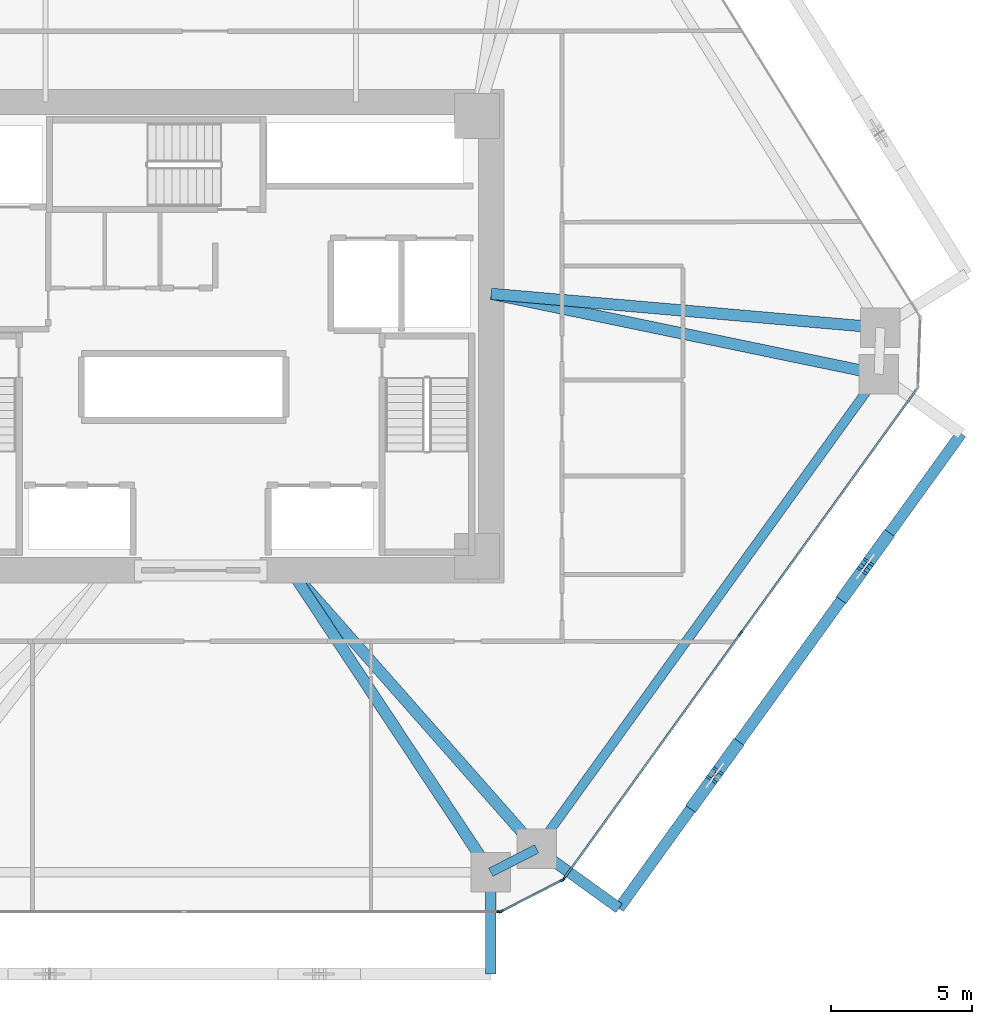
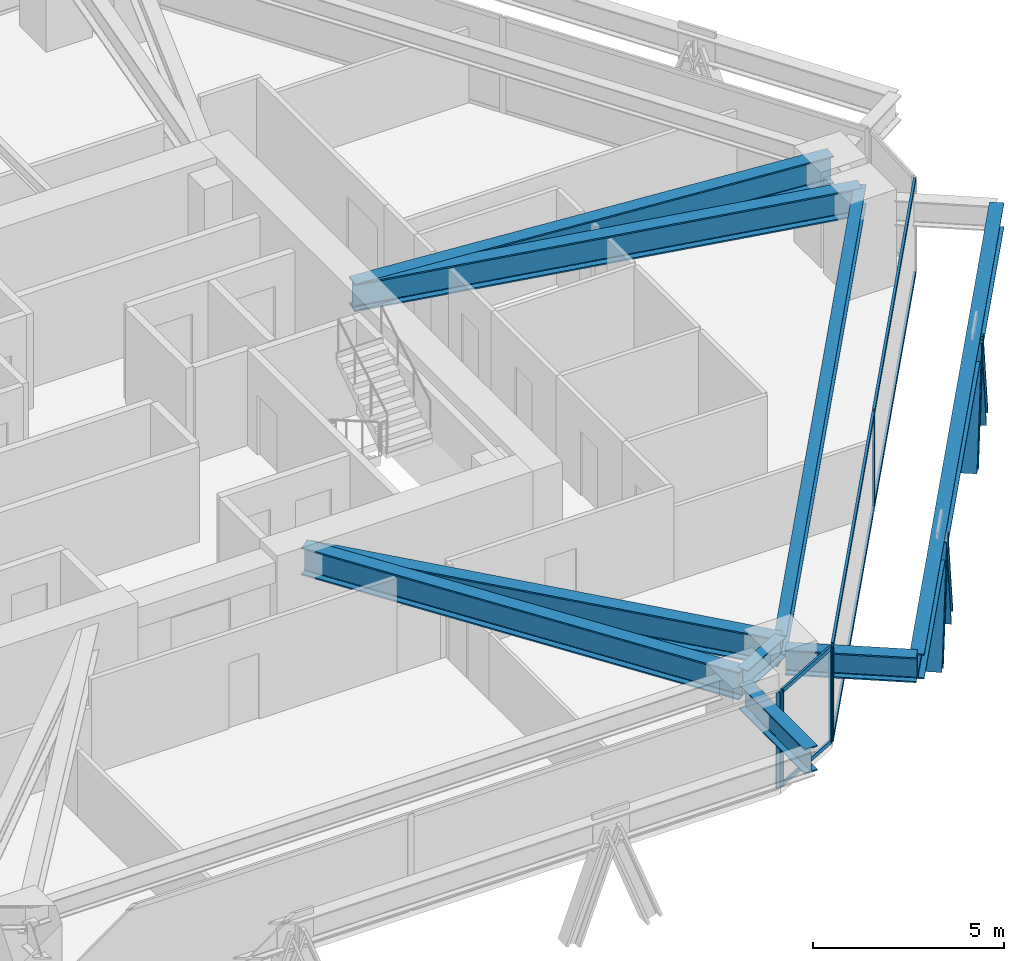
# One storey, part 5 of 16: 15 members, 9 beams, 3 elements without a shape of their own.
"""IFC4 building model written with IfcOpenShell, lengths in metres."""

from ifc_helpers import new_model, si_unit, direction, frame, origin, origin_2d, place, context, subcontext, project, spatial, rectangle, i_section, extrude, source, transform, mapped, material, layer, layer_set, material_profile, profile_set, type_object, type_shapes, element, aggregate, save


model = new_model("IFC4")

# Units and contexts
model_context = context("Model", 3, precision=1e-05, world=origin(), true_north=direction((0.0, 1.0)))
body_context = subcontext(model_context, "Body", "Model", "MODEL_VIEW")
ifc_project = project(units=[si_unit("LENGTHUNIT", "METRE"), si_unit("AREAUNIT", "SQUARE_METRE"), si_unit("VOLUMEUNIT", "CUBIC_METRE"), si_unit("PLANEANGLEUNIT", "RADIAN"), si_unit("MASSUNIT", "GRAM", prefix="KILO")], contexts=[model_context])

# Site, building, storey
site_placement = place(None, origin())
site = spatial("IfcSite", under=ifc_project, at=site_placement, CompositionType="ELEMENT")
building_placement = place(site_placement, origin())
building = spatial("IfcBuilding", under=site, at=building_placement, Name="Durnholm Broadcast Tower", CompositionType="ELEMENT")
storey_placement = place(building_placement, frame((0.0, 0.0, 65.39990234375)))
storey = spatial("IfcBuildingStorey", under=building, at=storey_placement, Name="L16", CompositionType="ELEMENT", Elevation=65.39990234375)

# Beams
ifc_material_1 = material(Name="Steel ASTM A992 Grade 50", Category="steel")
ifc_material_profile_1 = material_profile(ifc_material_1, i_section(OverallWidth=0.3291015625, OverallDepth=0.635009765625, WebThickness=0.017822265625, FlangeThickness=0.031005859375, FilletRadius=0.02783203125, at=origin_2d()), Name="W24X162")
ifc_profile_set_1 = profile_set([ifc_material_profile_1], Name="Steel ASTM A992 Grade 50")
beam_type_1 = type_object("IfcBeamType", Name="STL-SP-W24X162", PredefinedType="SPANDREL", material=ifc_profile_set_1)
shared_shape_1 = source(origin(), body_context, "Body", "SweptSolid", [
    extrude(i_section(OverallWidth=0.3291015625, OverallDepth=0.635009765625, WebThickness=0.017822265625, FlangeThickness=0.031005859375, FilletRadius=0.02783203125, at=origin_2d()), origin(), (0.0, 0.0, 1.0), 20.737060546875),
])
beam_1_placement = place(storey_placement, frame((24.034912109375, -1.347412109375, 2.7275390625), z_axis=(-0.584821933191, -0.811161701795, 0.0), x_axis=(0.811161701795, -0.584821933191, 0.0)))
element("IfcBeam", 1, at=beam_1_placement, inside=storey, type_object=beam_type_1, Name="L16 perimeter spandrel girder 09", PredefinedType="SPANDREL", context=body_context, shape_type="MappedRepresentation", body=[
    mapped(shared_shape_1, transform((0.0, 0.0, 0.0), x_axis=(1.0, 0.0, 0.0), y_axis=(0.0, 1.0, 0.0), z_axis=(0.0, 0.0, 1.0), scale=1.0)),
])
shared_shape_2 = source(origin(), body_context, "Body", "SweptSolid", [
    extrude(i_section(OverallWidth=0.3291015625, OverallDepth=0.635009765625, WebThickness=0.017822265625, FlangeThickness=0.031005859375, FilletRadius=0.02783203125, at=origin_2d()), origin(), (0.0, 0.0, 1.0), 1.8251953125),
])
type_shapes(beam_type_1, [shared_shape_1, shared_shape_2])
beam_2_placement = place(storey_placement, frame((11.907470703125, -18.16845703125, 2.7275390625), z_axis=(-0.890187609501, -0.455594139438, 0.0), x_axis=(0.455594139438, -0.890187609501, 0.0)))
element("IfcBeam", 2, at=beam_2_placement, inside=storey, type_object=beam_type_1, Name="L16 perimeter spandrel girder 10", PredefinedType="SPANDREL", context=body_context, shape_type="MappedRepresentation", body=[
    mapped(shared_shape_2, transform((0.0, 0.0, 0.0), x_axis=(1.0, 0.0, 0.0), y_axis=(0.0, 1.0, 0.0), z_axis=(0.0, 0.0, 1.0), scale=1.0)),
])
ifc_material_profile_2 = material_profile(ifc_material_1, i_section(OverallWidth=0.404052734375, OverallDepth=0.885009765625, WebThickness=0.0244140625, FlangeThickness=0.0439453125, FilletRadius=0.03564453125, at=origin_2d()), Name="W33X291")
ifc_profile_set_2 = profile_set([ifc_material_profile_2], Name="Steel ASTM A992 Grade 50")
beam_type_2 = type_object("IfcBeamType", Name="STL-GR-W33X291", PredefinedType="USERDEFINED", material=ifc_profile_set_2)
shared_shape_3 = source(origin(), body_context, "Body", "SweptSolid", [
    extrude(i_section(OverallWidth=0.404052734375, OverallDepth=0.885009765625, WebThickness=0.0244140625, FlangeThickness=0.0439453125, FilletRadius=0.03564453125, at=origin_2d()), origin(), (0.0, 0.0, 1.0), 13.843017578125),
])
beam_3_placement = place(storey_placement, frame((10.300048828125, 1.5, 2.6025390625), z_axis=(0.996234364864, -0.086701154915, 0.0), x_axis=(0.086701154915, 0.996234364864, 0.0)))
element("IfcBeam", 3, at=beam_3_placement, inside=storey, type_object=beam_type_2, Name="L16 radial primary floor girder 08", ObjectType="GIRDER", PredefinedType="USERDEFINED", context=body_context, shape_type="MappedRepresentation", body=[
    mapped(shared_shape_3, transform((0.0, 0.0, 0.0), x_axis=(1.0, 0.0, 0.0), y_axis=(0.0, 1.0, 0.0), z_axis=(0.0, 0.0, 1.0), scale=1.0)),
])
shared_shape_4 = source(origin(), body_context, "Body", "SweptSolid", [
    extrude(i_section(OverallWidth=0.404052734375, OverallDepth=0.885009765625, WebThickness=0.0244140625, FlangeThickness=0.0439453125, FilletRadius=0.03564453125, at=origin_2d()), origin(), (0.0, 0.0, 1.0), 14.02685546875),
])
beam_4_placement = place(storey_placement, frame((10.300048828125, 1.5, 2.6025390625), z_axis=(0.979179487914, -0.202996380382, 0.0), x_axis=(0.202996380382, 0.979179487914, 0.0)))
element("IfcBeam", 4, at=beam_4_placement, inside=storey, type_object=beam_type_2, Name="L16 radial primary floor girder 09", ObjectType="GIRDER", PredefinedType="USERDEFINED", context=body_context, shape_type="MappedRepresentation", body=[
    mapped(shared_shape_4, transform((0.0, 0.0, 0.0), x_axis=(1.0, 0.0, 0.0), y_axis=(0.0, 1.0, 0.0), z_axis=(0.0, 0.0, 1.0), scale=1.0)),
])
shared_shape_5 = source(origin(), body_context, "Body", "SweptSolid", [
    extrude(i_section(OverallWidth=0.404052734375, OverallDepth=0.885009765625, WebThickness=0.0244140625, FlangeThickness=0.0439453125, FilletRadius=0.03564453125, at=origin_2d()), origin(), (0.0, 0.0, 1.0), 13.160888671875),
])
beam_5_placement = place(storey_placement, frame((3.199951171875, -8.300048828125, 2.6025390625), z_axis=(0.661625931866, -0.749834065832, 0.0), x_axis=(0.749834065832, 0.661625931866, 0.0)))
element("IfcBeam", 5, at=beam_5_placement, inside=storey, type_object=beam_type_2, Name="L16 radial primary floor girder 10", ObjectType="GIRDER", PredefinedType="USERDEFINED", context=body_context, shape_type="MappedRepresentation", body=[
    mapped(shared_shape_5, transform((0.0, 0.0, 0.0), x_axis=(1.0, 0.0, 0.0), y_axis=(0.0, 1.0, 0.0), z_axis=(0.0, 0.0, 1.0), scale=1.0)),
])
shared_shape_6 = source(origin(), body_context, "Body", "SweptSolid", [
    extrude(i_section(OverallWidth=0.404052734375, OverallDepth=0.885009765625, WebThickness=0.0244140625, FlangeThickness=0.0439453125, FilletRadius=0.03564453125, at=origin_2d()), origin(), (0.0, 0.0, 1.0), 12.831787109375),
])
type_shapes(beam_type_2, [shared_shape_3, shared_shape_4, shared_shape_5, shared_shape_6])
beam_6_placement = place(storey_placement, frame((3.199951171875, -8.300048828125, 2.6025390625), z_axis=(0.551970609544, -0.833863565699, 0.0), x_axis=(0.833863565699, 0.551970609544, 0.0)))
element("IfcBeam", 6, at=beam_6_placement, inside=storey, type_object=beam_type_2, Name="L16 radial primary floor girder 11", ObjectType="GIRDER", PredefinedType="USERDEFINED", context=body_context, shape_type="MappedRepresentation", body=[
    mapped(shared_shape_6, transform((0.0, 0.0, 0.0), x_axis=(1.0, 0.0, 0.0), y_axis=(0.0, 1.0, 0.0), z_axis=(0.0, 0.0, 1.0), scale=1.0)),
])
ifc_material_profile_3 = material_profile(ifc_material_1, i_section(OverallWidth=0.385009765625, OverallDepth=0.802978515625, WebThickness=0.023681640625, FlangeThickness=0.0419921875, FilletRadius=0.032958984375, at=origin_2d()), Name="W30X261")
ifc_profile_set_3 = profile_set([ifc_material_profile_3], Name="Steel ASTM A992 Grade 50")
beam_type_3 = type_object("IfcBeamType", Name="BM-EXO-TIE", PredefinedType="USERDEFINED", material=ifc_profile_set_3)
shared_shape_7 = source(origin(), body_context, "Body", "SweptSolid", [
    extrude(i_section(OverallWidth=0.385009765625, OverallDepth=0.802978515625, WebThickness=0.023681640625, FlangeThickness=0.0419921875, FilletRadius=0.032958984375, at=origin_2d()), origin(), (0.0, 0.0, 1.0), 3.4560546875),
])
for number, where, z_axis, x_axis, name in (
    (7, (10.28271484375, -19.14404296875, 2.30859375), (0.0, -1.0, 0.0), (1.0, 0.0, 0.0), "L16 exoskeleton stand-off tie bracket F1.2"),
    (8, (12.024169921875, -18.252685546875, 2.30859375), (0.811157675106, -0.584827518262, 0.0), (0.584827518262, 0.811157675106, 0.0), "L16 exoskeleton stand-off tie bracket F2.1"),
):
    element("IfcBeam", number, at=place(storey_placement, frame(where, z_axis=z_axis, x_axis=x_axis)), inside=storey, type_object=beam_type_3, Name=name, ObjectType="GIRDER", PredefinedType="USERDEFINED", context=body_context, shape_type="MappedRepresentation", body=[
        mapped(shared_shape_7, transform((0.0, 0.0, 0.0), x_axis=(1.0, 0.0, 0.0), y_axis=(0.0, 1.0, 0.0), z_axis=(0.0, 0.0, 1.0), scale=1.0)),
    ])
shared_shape_8 = source(origin(), body_context, "Body", "SweptSolid", [
    extrude(i_section(OverallWidth=0.385009765625, OverallDepth=0.802978515625, WebThickness=0.023681640625, FlangeThickness=0.0419921875, FilletRadius=0.032958984375, at=origin_2d()), origin(), (0.0, 0.0, 1.0), 20.737060546875),
])
type_shapes(beam_type_3, [shared_shape_7, shared_shape_8])
beam_7_placement = place(storey_placement, frame((14.82763671875, -20.27392578125, 2.30859375), z_axis=(0.5848163482, 0.811165728368, 0.0), x_axis=(-0.811165728368, 0.5848163482, 0.0)))
element("IfcBeam", 9, at=beam_7_placement, inside=storey, type_object=beam_type_3, Name="L16 exoskeleton collector spandrel F2", PredefinedType="SPANDREL", context=body_context, shape_type="MappedRepresentation", body=[
    mapped(shared_shape_8, transform((0.0, 0.0, 0.0), x_axis=(1.0, 0.0, 0.0), y_axis=(0.0, 1.0, 0.0), z_axis=(0.0, 0.0, 1.0), scale=1.0)),
])

# Members
ifc_material_2 = material(Name="Steel ASTM A913 Grade 65", Category="steel")
ifc_material_profile_4 = material_profile(ifc_material_2, i_section(OverallWidth=0.43212890625, OverallDepth=0.497802734375, WebThickness=0.0556640625, FlangeThickness=0.0888671875, FilletRadius=0.030517578125, at=origin_2d()), Name="W14X500")
ifc_profile_set_4 = profile_set([ifc_material_profile_4], Name="Steel ASTM A913 Grade 65")
member_type_1 = type_object("IfcMemberType", Name="STL-DG-W14X500", PredefinedType="BRACE", material=ifc_profile_set_4)
shared_shape_9 = source(origin(), body_context, "Body", "SweptSolid", [
    extrude(i_section(OverallWidth=0.43212890625, OverallDepth=0.497802734375, WebThickness=0.0556640625, FlangeThickness=0.0888671875, FilletRadius=0.030517578125, at=origin_2d()), origin(), (0.0, 0.0, 1.0), 3.52294921875),
])
type_shapes(member_type_1, [shared_shape_9])
for number, where, z_axis, x_axis, name in (
    (10, (17.501708984375, -16.564697265625, -0.9912109375), (0.204852434815, 0.28406296695, 0.936666275019), (-0.81109123444, 0.58491966065, 0.0), "L16 stand-off diagrid brace F2.D1.1"),
    (11, (18.94482421875, -14.563232421875, -0.9912109375), (-0.204786041012, -0.284066999022, 0.93667957033), (0.811185111535, -0.584789461963, 0.0), "L16 stand-off diagrid brace F2.D1.2"),
    (12, (22.837890625, -9.163330078125, -0.9912109375), (0.204852434815, 0.28406296695, 0.936666275019), (-0.81109123444, 0.58491966065, 0.0), "L16 stand-off diagrid brace F2.D2.1"),
    (13, (24.281005859375, -7.161865234375, -0.9912109375), (-0.204786041012, -0.284066999022, 0.93667957033), (0.811185111535, -0.584789461963, 0.0), "L16 stand-off diagrid brace F2.D2.2"),
):
    element("IfcMember", number, at=place(storey_placement, frame(where, z_axis=z_axis, x_axis=x_axis)), inside=storey, type_object=member_type_1, Name=name, PredefinedType="BRACE", context=body_context, shape_type="MappedRepresentation", body=[
        mapped(shared_shape_9, transform((0.0, 0.0, 0.0), x_axis=(1.0, 0.0, 0.0), y_axis=(0.0, 1.0, 0.0), z_axis=(0.0, 0.0, 1.0), scale=1.0)),
    ])

# Curtain wall, members
ifc_material_3 = material(Name="Aluminium and Solar Control IGU", Category="aluminium")
ifc_layer_1 = layer(ifc_material_3, 0.1650390625)
ifc_layer_set_1 = layer_set([ifc_layer_1], Name="Aluminium and Solar Control IGU")
curtain_wall_type_1 = type_object("IfcCurtainWallType", Name="CW-SYS-5", PredefinedType="NOTDEFINED", material=ifc_layer_set_1)
curtain_wall_1_placement = place(storey_placement, origin())
curtain_wall_1 = element("IfcCurtainWall", 14, at=curtain_wall_1_placement, inside=storey, type_object=curtain_wall_type_1, Name="L16 curtain wall CW-CORNER CW-L16-CRN-09", PredefinedType="NOTDEFINED")
ifc_material_4 = material(Name="Aluminium 6063-T6", Category="aluminium")
ifc_material_profile_5 = material_profile(ifc_material_4, rectangle(XDim=0.06494140625, YDim=0.1650390625, at=origin_2d()), Name="CWM65X165")
ifc_profile_set_5 = profile_set([ifc_material_profile_5], Name="Aluminium 6063-T6")
member_type_2 = type_object("IfcMemberType", Name="CW-SYS-5-MUL", PredefinedType="MULLION", material=ifc_profile_set_5)
shared_shape_10 = source(origin(), body_context, "Body", "SweptSolid", [
    extrude(rectangle(XDim=0.06494140625, YDim=0.1650390625, at=origin_2d()), origin(), (0.0, 0.0, 1.0), 3.06005859375),
])
type_shapes(member_type_2, [shared_shape_10])
member_1_placement = place(storey_placement, frame((12.816650390625, -19.27587890625, 0.0), z_axis=(0.0, 0.0, 1.0), x_axis=(0.455593758406, -0.890187804512, 0.0)))
member_1 = element("IfcMember", 15, at=member_1_placement, type_object=member_type_2, Name="CW-CORNER mullion 1", PredefinedType="MULLION", context=body_context, shape_type="MappedRepresentation", body=[
    mapped(shared_shape_10, transform((0.0, 0.0, 0.0), x_axis=(1.0, 0.0, 0.0), y_axis=(0.0, 1.0, 0.0), z_axis=(0.0, 0.0, 1.0), scale=1.0)),
])
member_2_placement = place(storey_placement, frame((10.649169921875, -20.38525390625, 0.0), z_axis=(0.0, 0.0, 1.0), x_axis=(0.455593758406, -0.890187804512, 0.0)))
member_2 = element("IfcMember", 16, at=member_2_placement, type_object=member_type_2, Name="CW-CORNER mullion 2", PredefinedType="MULLION", context=body_context, shape_type="MappedRepresentation", body=[
    mapped(shared_shape_10, transform((0.0, 0.0, 0.0), x_axis=(1.0, 0.0, 0.0), y_axis=(0.0, 1.0, 0.0), z_axis=(0.0, 0.0, 1.0), scale=1.0)),
])
ifc_material_profile_6 = material_profile(ifc_material_4, rectangle(XDim=0.06494140625, YDim=0.1298828125, at=origin_2d()), Name="CWT65X130")
ifc_profile_set_6 = profile_set([ifc_material_profile_6], Name="Aluminium 6063-T6")
member_type_3 = type_object("IfcMemberType", Name="CW-SYS-5-TRN", PredefinedType="USERDEFINED", material=ifc_profile_set_6)
shared_shape_11 = source(origin(), body_context, "Body", "SweptSolid", [
    extrude(rectangle(XDim=0.06494140625, YDim=0.1298828125, at=origin_2d()), origin(), (0.0, 0.0, 1.0), 2.3701171875),
])
type_shapes(member_type_3, [shared_shape_11])
member_3_placement = place(storey_placement, frame((12.787841796875, -19.29052734375, 0.03271484375), z_axis=(-0.890185016934, -0.455599205033, 0.0), x_axis=(0.455599205033, -0.890185016934, 0.0)))
member_3 = element("IfcMember", 17, at=member_3_placement, type_object=member_type_3, Name="CW-CORNER transom 1.1", ObjectType="TRANSOM", PredefinedType="USERDEFINED", context=body_context, shape_type="MappedRepresentation", body=[
    mapped(shared_shape_11, transform((0.0, 0.0, 0.0), x_axis=(1.0, 0.0, 0.0), y_axis=(0.0, 1.0, 0.0), z_axis=(0.0, 0.0, 1.0), scale=1.0)),
])
member_4_placement = place(storey_placement, frame((12.787841796875, -19.29052734375, 3.027587890625), z_axis=(-0.890185016934, -0.455599205033, 0.0), x_axis=(0.455599205033, -0.890185016934, 0.0)))
member_4 = element("IfcMember", 18, at=member_4_placement, type_object=member_type_3, Name="CW-CORNER transom 1.2", ObjectType="TRANSOM", PredefinedType="USERDEFINED", context=body_context, shape_type="MappedRepresentation", body=[
    mapped(shared_shape_11, transform((0.0, 0.0, 0.0), x_axis=(1.0, 0.0, 0.0), y_axis=(0.0, 1.0, 0.0), z_axis=(0.0, 0.0, 1.0), scale=1.0)),
])
aggregate(curtain_wall_1, [member_1, member_2, member_3, member_4])

ifc_layer_2 = layer(ifc_material_3, 0.18994140625)
ifc_layer_set_2 = layer_set([ifc_layer_2], Name="Aluminium and Solar Control IGU")
curtain_wall_type_2 = type_object("IfcCurtainWallType", Name="CW-SYS-3", PredefinedType="NOTDEFINED", material=ifc_layer_set_2)
curtain_wall_2_placement = place(storey_placement, origin())
curtain_wall_2 = element("IfcCurtainWall", 19, at=curtain_wall_2_placement, inside=storey, type_object=curtain_wall_type_2, Name="L16 curtain wall CW-Z12-VIS CW-L16-F08", PredefinedType="NOTDEFINED")
ifc_material_profile_7 = material_profile(ifc_material_4, rectangle(XDim=0.070068359375, YDim=0.18994140625, at=origin_2d()), Name="CWM70X190")
ifc_profile_set_7 = profile_set([ifc_material_profile_7], Name="Aluminium 6063-T6")
member_type_4 = type_object("IfcMemberType", Name="CW-SYS-3-MUL", PredefinedType="MULLION", material=ifc_profile_set_7)
shared_shape_12 = source(origin(), body_context, "Body", "SweptSolid", [
    extrude(rectangle(XDim=0.070068359375, YDim=0.18994140625, at=origin_2d()), origin(), (0.0, 0.0, 1.0), 3.06005859375),
])
type_shapes(member_type_4, [shared_shape_12])
member_5_placement = place(storey_placement, frame((19.1328125, -10.540771484375, 0.0), z_axis=(0.0, 0.0, 1.0), x_axis=(0.81116057493, -0.584823496176, 0.0)))
member_5 = element("IfcMember", 20, at=member_5_placement, type_object=member_type_4, Name="CW-Z12-VIS mullion 2", PredefinedType="MULLION", context=body_context, shape_type="MappedRepresentation", body=[
    mapped(shared_shape_12, transform((0.0, 0.0, 0.0), x_axis=(1.0, 0.0, 0.0), y_axis=(0.0, 1.0, 0.0), z_axis=(0.0, 0.0, 1.0), scale=1.0)),
])
member_6_placement = place(storey_placement, frame((12.8662109375, -19.232666015625, 0.0), z_axis=(0.0, 0.0, 1.0), x_axis=(0.81116057493, -0.584823496176, 0.0)))
member_6 = element("IfcMember", 21, at=member_6_placement, type_object=member_type_4, Name="CW-Z12-VIS mullion 3", PredefinedType="MULLION", context=body_context, shape_type="MappedRepresentation", body=[
    mapped(shared_shape_12, transform((0.0, 0.0, 0.0), x_axis=(1.0, 0.0, 0.0), y_axis=(0.0, 1.0, 0.0), z_axis=(0.0, 0.0, 1.0), scale=1.0)),
])

# Curtain wall, member
curtain_wall_3_placement = place(storey_placement, origin())
curtain_wall_3 = element("IfcCurtainWall", 22, at=curtain_wall_3_placement, inside=storey, type_object=curtain_wall_type_2, Name="L16 curtain wall CW-Z12-VIS CW-L16-F10", PredefinedType="NOTDEFINED")
member_7_placement = place(storey_placement, frame((10.585205078125, -20.39990234375, 0.0), z_axis=(0.0, 0.0, 1.0), x_axis=(0.0, -1.0, 0.0)))
member_7 = element("IfcMember", 23, at=member_7_placement, type_object=member_type_4, Name="CW-Z12-VIS mullion 1", PredefinedType="MULLION", context=body_context, shape_type="MappedRepresentation", body=[
    mapped(shared_shape_12, transform((0.0, 0.0, 0.0), x_axis=(1.0, 0.0, 0.0), y_axis=(0.0, 1.0, 0.0), z_axis=(0.0, 0.0, 1.0), scale=1.0)),
])
aggregate(curtain_wall_3, [member_7])

# Member
ifc_material_profile_8 = material_profile(ifc_material_4, rectangle(XDim=0.070068359375, YDim=0.14990234375, at=origin_2d()), Name="CWT70X150")
ifc_profile_set_8 = profile_set([ifc_material_profile_8], Name="Aluminium 6063-T6")
member_type_5 = type_object("IfcMemberType", Name="CW-SYS-3-TRN", PredefinedType="USERDEFINED", material=ifc_profile_set_8)
shared_shape_13 = source(origin(), body_context, "Body", "SweptSolid", [
    extrude(rectangle(XDim=0.070068359375, YDim=0.14990234375, at=origin_2d()), origin(), (0.0, 0.0, 1.0), 10.6455078125),
])
member_8_placement = place(storey_placement, frame((25.37890625, -1.877197265625, 0.03515625), z_axis=(-0.584812103659, -0.811168788486, 0.0), x_axis=(0.811168788486, -0.584812103659, 0.0)))
member_8 = element("IfcMember", 24, at=member_8_placement, type_object=member_type_5, Name="CW-Z12-VIS transom 1.1", ObjectType="TRANSOM", PredefinedType="USERDEFINED", context=body_context, shape_type="MappedRepresentation", body=[
    mapped(shared_shape_13, transform((0.0, 0.0, 0.0), x_axis=(1.0, 0.0, 0.0), y_axis=(0.0, 1.0, 0.0), z_axis=(0.0, 0.0, 1.0), scale=1.0)),
])

member_9_placement = place(storey_placement, frame((25.37890625, -1.877197265625, 3.025146484375), z_axis=(-0.584812103659, -0.811168788486, 0.0), x_axis=(0.811168788486, -0.584812103659, 0.0)))
member_9 = element("IfcMember", 25, at=member_9_placement, type_object=member_type_5, Name="CW-Z12-VIS transom 1.2", ObjectType="TRANSOM", PredefinedType="USERDEFINED", context=body_context, shape_type="MappedRepresentation", body=[
    mapped(shared_shape_13, transform((0.0, 0.0, 0.0), x_axis=(1.0, 0.0, 0.0), y_axis=(0.0, 1.0, 0.0), z_axis=(0.0, 0.0, 1.0), scale=1.0)),
])

shared_shape_14 = source(origin(), body_context, "Body", "SweptSolid", [
    extrude(rectangle(XDim=0.070068359375, YDim=0.14990234375, at=origin_2d()), origin(), (0.0, 0.0, 1.0), 10.645263671875),
])
type_shapes(member_type_5, [shared_shape_13, shared_shape_14])
member_10_placement = place(storey_placement, frame((19.1123046875, -10.569091796875, 0.03515625), z_axis=(-0.584822983179, -0.811160944786, 0.0), x_axis=(0.811160944786, -0.584822983179, 0.0)))
member_10 = element("IfcMember", 26, at=member_10_placement, type_object=member_type_5, Name="CW-Z12-VIS transom 2.1", ObjectType="TRANSOM", PredefinedType="USERDEFINED", context=body_context, shape_type="MappedRepresentation", body=[
    mapped(shared_shape_14, transform((0.0, 0.0, 0.0), x_axis=(1.0, 0.0, 0.0), y_axis=(0.0, 1.0, 0.0), z_axis=(0.0, 0.0, 1.0), scale=1.0)),
])

member_11_placement = place(storey_placement, frame((19.1123046875, -10.569091796875, 3.025146484375), z_axis=(-0.584822983179, -0.811160944786, 0.0), x_axis=(0.811160944786, -0.584822983179, 0.0)))
member_11 = element("IfcMember", 27, at=member_11_placement, type_object=member_type_5, Name="CW-Z12-VIS transom 2.2", ObjectType="TRANSOM", PredefinedType="USERDEFINED", context=body_context, shape_type="MappedRepresentation", body=[
    mapped(shared_shape_14, transform((0.0, 0.0, 0.0), x_axis=(1.0, 0.0, 0.0), y_axis=(0.0, 1.0, 0.0), z_axis=(0.0, 0.0, 1.0), scale=1.0)),
])

aggregate(curtain_wall_2, [member_5, member_6, member_8, member_9, member_10, member_11])

save(model, "model.ifc")
